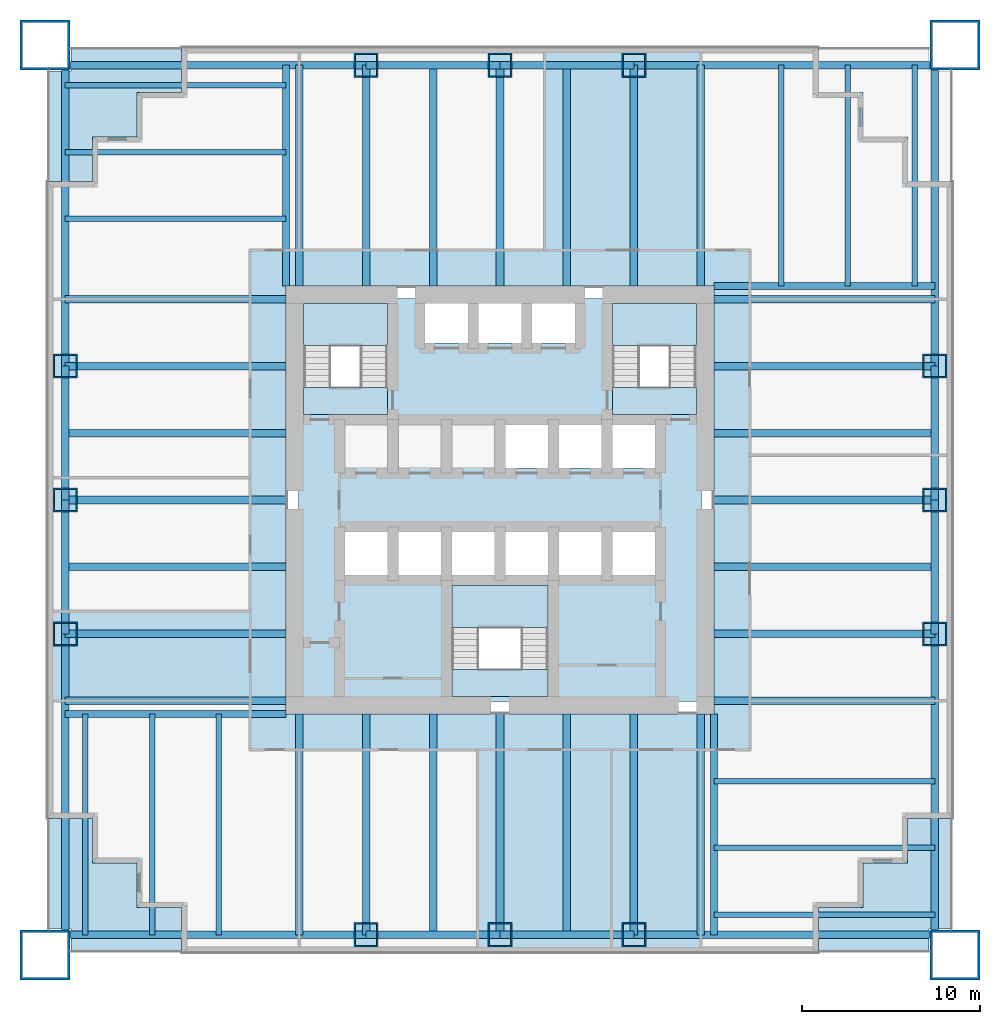
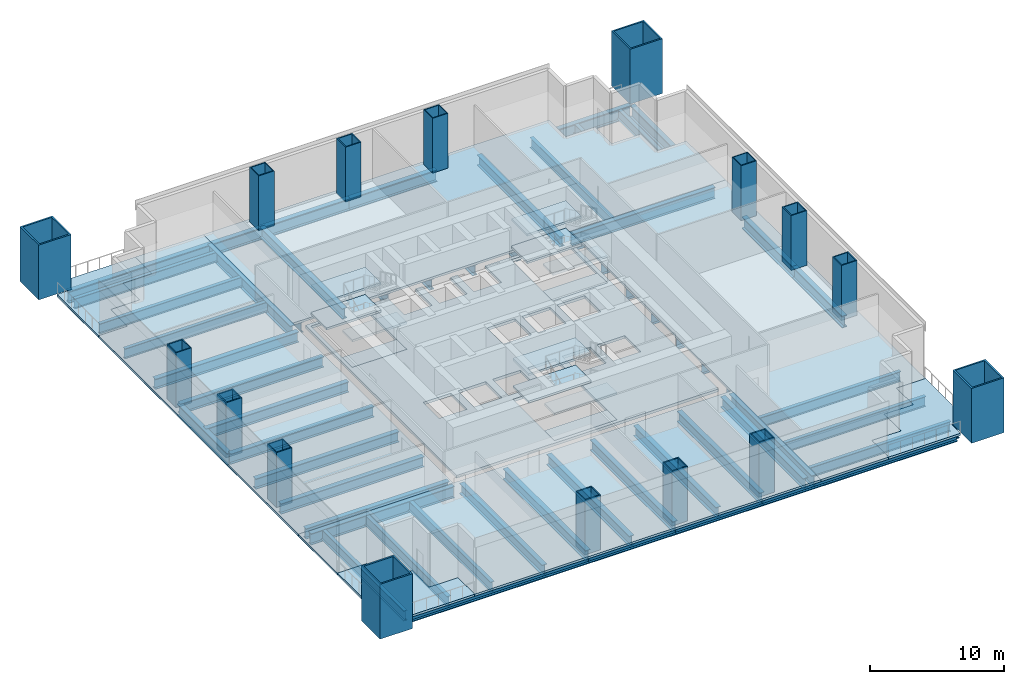
# One storey, part 1 of 6: 60 beams, 20 slabs, 16 columns, 3 elements without a shape of their own.
"""IFC4 building model written with IfcOpenShell, lengths in metres."""

import ifcopenshell
import ifcopenshell.guid

model = None  # the IFC model being written
_history = None  # IfcOwnerHistory: only IFC2X3 demands one
_inside = {}  # id of a spatial element -> (the spatial element, [elements in it])
_under = {}  # id of a project, library or spatial element -> (it, [spatial elements below it])
_declared = {}  # id of a project -> (the project, [libraries it declares])
_typed = {}  # id of a type object -> (the type object, [elements of that type])
_made_of = {}  # id of a material, layer set ... -> (it, [elements and type objects made of it])


def new_model(schema):
    """Start an empty IFC model of exactly this schema.

    Asked for "IFC4X3", IfcOpenShell would pick the latest addendum, in which some entities
    have other attributes; the version numbers below select the first issue.
    IFC2X3 requires an IfcOwnerHistory on every rooted entity: one is made here for all.
    """
    global model, _history
    if schema == "IFC4X3":
        model = ifcopenshell.file(schema_version=(4, 3, 0, 0))
    else:
        model = ifcopenshell.file(schema=schema)
    _inside.clear()
    _under.clear()
    _declared.clear()
    _typed.clear()
    _made_of.clear()
    _history = None
    if model.schema == "IFC2X3":
        org = make("IfcOrganization", Name="unknown")
        user = make(
            "IfcPersonAndOrganization",
            ThePerson=make("IfcPerson", FamilyName="unknown"),
            TheOrganization=org,
        )
        app = make(
            "IfcApplication",
            ApplicationDeveloper=org,
            Version="unknown",
            ApplicationFullName="unknown",
            ApplicationIdentifier="unknown",
        )
        _history = make(
            "IfcOwnerHistory",
            OwningUser=user,
            OwningApplication=app,
            ChangeAction="ADDED",
            CreationDate=0,
        )
    return model


def make(cls, **values):
    """One entity of the class cls with the attributes given. An attribute that is None is left unset."""
    return model.create_entity(
        cls, **{name: value for name, value in values.items() if value is not None}
    )


def rooted(cls, **values):
    """An entity with a GlobalId (a new one), such as an element, a storey or a relation."""
    return make(cls, GlobalId=ifcopenshell.guid.new(), OwnerHistory=_history, **values)


def si_unit(unit_type, name, prefix=None):
    """IfcSIUnit, for example si_unit("LENGTHUNIT", "METRE", prefix="MILLI")."""
    return make("IfcSIUnit", UnitType=unit_type, Prefix=prefix, Name=name)


def assignment(units):
    """IfcUnitAssignment: the units of a project."""
    return None if units is None else make("IfcUnitAssignment", Units=units)


def point(xyz):
    """IfcCartesianPoint."""
    return None if xyz is None else make("IfcCartesianPoint", Coordinates=xyz)


def direction(xyz):
    """IfcDirection."""
    return None if xyz is None else make("IfcDirection", DirectionRatios=xyz)


def frame(location, z_axis=None, x_axis=None):
    """IfcAxis2Placement3D, a coordinate frame: its origin and axes. An axis left out is left unset."""
    return make(
        "IfcAxis2Placement3D",
        Location=point(location),
        Axis=direction(z_axis),
        RefDirection=direction(x_axis),
    )


def frame_2d(location, x_axis=None):
    """IfcAxis2Placement2D, a coordinate frame in the plane: its origin and x axis."""
    return make(
        "IfcAxis2Placement2D", Location=point(location), RefDirection=direction(x_axis)
    )


def origin():
    """The frame at (0, 0, 0) with its axes left unset."""
    return frame((0.0, 0.0, 0.0))


def origin_2d():
    """The frame at (0, 0) in the plane with its x axis left unset."""
    return frame_2d((0.0, 0.0))


def place(relative_to, where):
    """IfcLocalPlacement: puts the frame where relative to a parent placement (None: the world)."""
    return make(
        "IfcLocalPlacement", PlacementRelTo=relative_to, RelativePlacement=where
    )


def context(
    kind, dimensions, precision=None, world=None, true_north=None, identifier=None
):
    """IfcGeometricRepresentationContext, for example the 3D "Model" context."""
    return make(
        "IfcGeometricRepresentationContext",
        ContextIdentifier=identifier,
        ContextType=kind,
        CoordinateSpaceDimension=dimensions,
        Precision=precision,
        WorldCoordinateSystem=world,
        TrueNorth=true_north,
    )


def subcontext(parent, identifier, kind, view, scale=None):
    """IfcGeometricRepresentationSubContext, for example "Body" below "Model"."""
    return make(
        "IfcGeometricRepresentationSubContext",
        ContextIdentifier=identifier,
        ContextType=kind,
        ParentContext=parent,
        TargetScale=scale,
        TargetView=view,
    )


def project(units=None, contexts=None):
    """IfcProject with its units and contexts."""
    return rooted(
        "IfcProject",
        Name="project",
        RepresentationContexts=contexts,
        UnitsInContext=assignment(units),
    )


def spatial(cls, under=None, at=None, **own):
    """A site, building, storey or space (cls), placed at a placement, below another one or the project."""
    s = rooted(cls, ObjectPlacement=at, **own)
    if under is not None:
        _under.setdefault(under.id(), (under, []))[1].append(s)
    return s


def polyline(points):
    """IfcPolyline through the points."""
    return make("IfcPolyline", Points=[point(p) for p in points])


def profile(cls, at=None, kind="AREA", **sizes):
    """A parametric profile (cls). Its sizes go by their IFC names, for example OverallWidth=200.0."""
    return make(cls, ProfileType=kind, Position=at, **sizes)


def hollow_rectangle(**sizes):
    """IfcRectangleHollowProfileDef."""
    return profile("IfcRectangleHollowProfileDef", **sizes)


def i_section(**sizes):
    """IfcIShapeProfileDef."""
    return profile("IfcIShapeProfileDef", **sizes)


def outline(outer, holes=None, kind="AREA"):
    """IfcArbitraryClosedProfileDef: a profile drawn as a closed curve; with holes, ...WithVoids."""
    if holes is None:
        return make("IfcArbitraryClosedProfileDef", ProfileType=kind, OuterCurve=outer)
    return make(
        "IfcArbitraryProfileDefWithVoids",
        ProfileType=kind,
        OuterCurve=outer,
        InnerCurves=holes,
    )


def extrude(swept, where, along, depth):
    """IfcExtrudedAreaSolid: the profile swept, set in the frame where, extruded along a direction by depth."""
    return make(
        "IfcExtrudedAreaSolid",
        SweptArea=swept,
        Position=where,
        ExtrudedDirection=direction(along),
        Depth=depth,
    )


def shape(context_of_items, identifier, shape_type, items):
    """IfcShapeRepresentation: the items that make up one representation, for example the "Body"."""
    return make(
        "IfcShapeRepresentation",
        ContextOfItems=context_of_items,
        RepresentationIdentifier=identifier,
        RepresentationType=shape_type,
        Items=items,
    )


def material(Name=None, Category=None):
    """IfcMaterial."""
    return make("IfcMaterial", Name=Name, Category=Category)


def layer(
    of_material, thickness, ventilated=None, Name=None, Category=None, Priority=None
):
    """IfcMaterialLayer: one layer of a wall or slab, of a material (None: an air gap)."""
    return make(
        "IfcMaterialLayer",
        Material=of_material,
        LayerThickness=thickness,
        IsVentilated=ventilated,
        Name=Name,
        Category=Category,
        Priority=Priority,
    )


def layer_set(layers, Name=None):
    """IfcMaterialLayerSet."""
    return make("IfcMaterialLayerSet", MaterialLayers=layers, LayerSetName=Name)


def material_profile(
    of_material, cross_section, Name=None, Category=None, Priority=None
):
    """IfcMaterialProfile: a cross section and its material."""
    return make(
        "IfcMaterialProfile",
        Name=Name,
        Material=of_material,
        Profile=cross_section,
        Priority=Priority,
        Category=Category,
    )


def profile_set(profiles, Name=None, composite=None):
    """IfcMaterialProfileSet."""
    return make(
        "IfcMaterialProfileSet",
        Name=Name,
        MaterialProfiles=profiles,
        CompositeProfile=composite,
    )


def made_of(thing, what):
    """Note that an element or type object is made of a material, layer set ...; save() writes the relation."""
    if what is not None:
        _made_of.setdefault(what.id(), (what, []))[1].append(thing)
    return thing


def type_object(cls, material=None, **own):
    """A type object (cls), such as IfcWallType, which elements share."""
    return made_of(rooted(cls, **own), material)


def element(
    cls,
    number,
    at=None,
    inside=None,
    cuts=None,
    type_object=None,
    material=None,
    context=None,
    identifier="Body",
    shape_type=None,
    held_by="IfcProductDefinitionShape",
    body=None,
    shapes=None,
    **own,
):
    """One element of the class cls, such as IfcWall. Its Tag is "e" and its number.

    at: its placement. inside: the storey or other place that contains it. cuts: it is an
    opening in that element (IfcRelVoidsElement). A single representation is given by context,
    identifier, shape_type and body (its items); several are given by shapes. held_by: the class
    of the entity that holds the representations. save() writes the other relations.
    """
    e = rooted(cls, Tag="e%d" % number, ObjectPlacement=at, **own)
    if body is not None:
        shapes = [shape(context, identifier, shape_type, body)]
    if shapes is not None:
        e.Representation = make(held_by, Representations=shapes)
    if inside is not None:
        _inside.setdefault(inside.id(), (inside, []))[1].append(e)
    if cuts is not None:
        rooted(
            "IfcRelVoidsElement", RelatingBuildingElement=cuts, RelatedOpeningElement=e
        )
    if type_object is not None:
        _typed.setdefault(type_object.id(), (type_object, []))[1].append(e)
    return made_of(e, material)


def aggregate(whole, parts):
    """IfcRelAggregates: a whole, such as a stair, and the parts it consists of."""
    return rooted("IfcRelAggregates", RelatingObject=whole, RelatedObjects=parts)


def save(model, path):
    """Write the relations noted so far, then the file.

    IfcRelAggregates (storeys below a building ...), IfcRelContainedInSpatialStructure (elements
    in a storey), IfcRelDefinesByType, IfcRelAssociatesMaterial and IfcRelDeclares: one each for
    every whole, place, type object, material and project.
    """
    for whole, parts in _under.values():
        aggregate(whole, parts)
    for where, things in _inside.values():
        rooted(
            "IfcRelContainedInSpatialStructure",
            RelatedElements=things,
            RelatingStructure=where,
        )
    for kind, things in _typed.values():
        rooted("IfcRelDefinesByType", RelatedObjects=things, RelatingType=kind)
    for what, things in _made_of.values():
        rooted("IfcRelAssociatesMaterial", RelatedObjects=things, RelatingMaterial=what)
    for by, libraries in _declared.values():
        rooted("IfcRelDeclares", RelatingContext=by, RelatedDefinitions=libraries)
    model.write(path)


model = new_model("IFC4")

# Units and contexts
model_context = context("Model", 3, precision=1e-05, world=origin(), true_north=direction((0.0, 1.0)))
body_context = subcontext(model_context, "Body", "Model", "MODEL_VIEW")
ifc_project = project(units=[si_unit("LENGTHUNIT", "METRE"), si_unit("AREAUNIT", "SQUARE_METRE"), si_unit("VOLUMEUNIT", "CUBIC_METRE"), si_unit("PLANEANGLEUNIT", "RADIAN"), si_unit("MASSUNIT", "GRAM", prefix="KILO")], contexts=[model_context])

# Site, building, storey
site_placement = place(None, origin())
site = spatial("IfcSite", under=ifc_project, at=site_placement, CompositionType="ELEMENT")
building_placement = place(site_placement, origin())
building = spatial("IfcBuilding", under=site, at=building_placement, Name="Tarangal Relay Tower", CompositionType="ELEMENT")
storey_placement = place(building_placement, frame((0.0, 0.0, 28.39990234375)))
storey = spatial("IfcBuildingStorey", under=building, at=storey_placement, Name="L05", CompositionType="ELEMENT", Elevation=28.39990234375)

# Columns
ifc_material_1 = material(Name="Steel ASTM A572 Grade 42", Category="steel")
ifc_material_profile_1 = material_profile(ifc_material_1, hollow_rectangle(XDim=2.800048828125, YDim=2.800048828125, WallThickness=0.139892578125, at=origin_2d()), Name="BOX2800X2800X140")
ifc_profile_set_1 = profile_set([ifc_material_profile_1], Name="Steel ASTM A572 Grade 42")
column_type_1 = type_object("IfcColumnType", Name="Mega column BOX2800X2800X140", PredefinedType="COLUMN", material=ifc_profile_set_1)
for number, where, z_axis, x_axis, name in (
    (1, (25.5, 25.5, 0.0), (0.0, 0.0, 1.0), (1.0, 0.0, 0.0), "Mega column MC1 NE L05"),
    (2, (25.5, -25.5, 0.0), (0.0, 0.0, 1.0), (1.0, 0.0, 0.0), "Mega column MC1 SE L05"),
    (3, (-25.5, -25.5, 0.0), (0.0, 0.0, 1.0), (1.0, 0.0, 0.0), "Mega column MC1 SW L05"),
    (4, (-25.5, 25.5, 0.0), (0.0, 0.0, 1.0), (1.0, 0.0, 0.0), "Mega column MC1 NW L05"),
):
    element("IfcColumn", number, at=place(storey_placement, frame(where, z_axis=z_axis, x_axis=x_axis)), inside=storey, type_object=column_type_1, Name=name, PredefinedType="COLUMN", context=body_context, shape_type="SweptSolid", body=[
        extrude(hollow_rectangle(XDim=2.800048828125, YDim=2.800048828125, WallThickness=0.139892578125, at=origin_2d()), origin(), (0.0, 0.0, 1.0), 5.0),
    ])
ifc_material_2 = material(Name="Steel ASTM A572 Grade 50", Category="steel")
ifc_material_profile_2 = material_profile(ifc_material_2, hollow_rectangle(XDim=1.35009765625, YDim=1.35009765625, WallThickness=0.0849609375, at=origin_2d()), Name="BOX1350X1350X85")
ifc_profile_set_2 = profile_set([ifc_material_profile_2], Name="Steel ASTM A572 Grade 50")
column_type_2 = type_object("IfcColumnType", Name="Perimeter column BOX1350X1350X85", PredefinedType="COLUMN", material=ifc_profile_set_2)
for number, where, z_axis, x_axis, name in (
    (5, (-7.5, 24.364990234375, 0.0), (0.0, 0.0, 1.0), (1.0, 0.0, 0.0), "Perimeter column PC2 N L05"),
    (6, (0.0, 24.364990234375, 0.0), (0.0, 0.0, 1.0), (1.0, 0.0, 0.0), "Perimeter column PC2 N L05"),
    (7, (7.5, 24.364990234375, 0.0), (0.0, 0.0, 1.0), (1.0, 0.0, 0.0), "Perimeter column PC2 N L05"),
    (8, (24.364990234375, 7.5, 0.0), (0.0, 0.0, 1.0), (1.0, 0.0, 0.0), "Perimeter column PC2 E L05"),
    (9, (24.364990234375, 0.0, 0.0), (0.0, 0.0, 1.0), (1.0, 0.0, 0.0), "Perimeter column PC2 E L05"),
    (10, (24.364990234375, -7.5, 0.0), (0.0, 0.0, 1.0), (1.0, 0.0, 0.0), "Perimeter column PC2 E L05"),
    (11, (7.5, -24.364990234375, 0.0), (0.0, 0.0, 1.0), (1.0, 0.0, 0.0), "Perimeter column PC2 S L05"),
    (12, (0.0, -24.364990234375, 0.0), (0.0, 0.0, 1.0), (1.0, 0.0, 0.0), "Perimeter column PC2 S L05"),
    (13, (-7.5, -24.364990234375, 0.0), (0.0, 0.0, 1.0), (1.0, 0.0, 0.0), "Perimeter column PC2 S L05"),
    (14, (-24.364990234375, -7.5, 0.0), (0.0, 0.0, 1.0), (1.0, 0.0, 0.0), "Perimeter column PC2 W L05"),
    (15, (-24.364990234375, 0.0, 0.0), (0.0, 0.0, 1.0), (1.0, 0.0, 0.0), "Perimeter column PC2 W L05"),
    (16, (-24.364990234375, 7.5, 0.0), (0.0, 0.0, 1.0), (1.0, 0.0, 0.0), "Perimeter column PC2 W L05"),
):
    element("IfcColumn", number, at=place(storey_placement, frame(where, z_axis=z_axis, x_axis=x_axis)), inside=storey, type_object=column_type_2, Name=name, PredefinedType="COLUMN", context=body_context, shape_type="SweptSolid", body=[
        extrude(hollow_rectangle(XDim=1.35009765625, YDim=1.35009765625, WallThickness=0.0849609375, at=origin_2d()), origin(), (0.0, 0.0, 1.0), 5.0),
    ])

# Beams
ifc_material_3 = material(Name="Steel ASTM A992", Category="steel")
ifc_material_profile_3 = material_profile(ifc_material_3, i_section(OverallWidth=0.307373046875, OverallDepth=0.927001953125, WebThickness=0.019287109375, FlangeThickness=0.031982421875, at=origin_2d()), Name="W36X194")
ifc_profile_set_3 = profile_set([ifc_material_profile_3], Name="Steel ASTM A992")
beam_type_1 = type_object("IfcBeamType", Name="Corner beam W36X194", PredefinedType="JOIST", material=ifc_profile_set_3)
for number, where, z_axis, x_axis, name in (
    (17, (15.75, 12.0, -0.66357421875), (0.0, 1.0, 0.0), (-1.0, 0.0, 0.0), "Corner beam CB10 N L05"),
    (18, (19.5, 12.0, -0.66357421875), (0.0, 1.0, 0.0), (-1.0, 0.0, 0.0), "Corner beam CB10 N L05"),
    (19, (23.25, 12.0, -0.66357421875), (0.0, 1.0, 0.0), (-1.0, 0.0, 0.0), "Corner beam CB10 N L05"),
    (20, (12.0, -15.75, -0.66357421875), (1.0, 0.0, 0.0), (0.0, 1.0, 0.0), "Corner beam CB10 E L05"),
    (21, (12.0, -19.5, -0.66357421875), (1.0, 0.0, 0.0), (0.0, 1.0, 0.0), "Corner beam CB10 E L05"),
    (22, (12.0, -23.25, -0.66357421875), (1.0, 0.0, 0.0), (0.0, 1.0, 0.0), "Corner beam CB10 E L05"),
    (23, (-15.75, -12.0, -0.66357421875), (0.0, -1.0, 0.0), (1.0, 0.0, 0.0), "Corner beam CB10 S L05"),
    (24, (-19.5, -12.0, -0.66357421875), (0.0, -1.0, 0.0), (1.0, 0.0, 0.0), "Corner beam CB10 S L05"),
    (25, (-23.25, -12.0, -0.66357421875), (0.0, -1.0, 0.0), (1.0, 0.0, 0.0), "Corner beam CB10 S L05"),
    (26, (-12.0, 15.75, -0.66357421875), (-1.0, 0.0, 0.0), (0.0, -1.0, 0.0), "Corner beam CB10 W L05"),
    (27, (-12.0, 19.5, -0.66357421875), (-1.0, 0.0, 0.0), (0.0, -1.0, 0.0), "Corner beam CB10 W L05"),
    (28, (-12.0, 23.25, -0.66357421875), (-1.0, 0.0, 0.0), (0.0, -1.0, 0.0), "Corner beam CB10 W L05"),
):
    element("IfcBeam", number, at=place(storey_placement, frame(where, z_axis=z_axis, x_axis=x_axis)), inside=storey, type_object=beam_type_1, Name=name, PredefinedType="JOIST", context=body_context, shape_type="SweptSolid", body=[
        extrude(i_section(OverallWidth=0.307373046875, OverallDepth=0.927001953125, WebThickness=0.019287109375, FlangeThickness=0.031982421875, at=origin_2d()), origin(), (0.0, 0.0, 1.0), 12.364990234375),
    ])
ifc_material_profile_4 = material_profile(ifc_material_3, i_section(OverallWidth=0.40380859375, OverallDepth=1.036376953125, WebThickness=0.031005859375, FlangeThickness=0.0458984375, at=origin_2d()), Name="W40X331")
ifc_profile_set_4 = profile_set([ifc_material_profile_4], Name="Steel ASTM A992")
beam_type_2 = type_object("IfcBeamType", Name="Corner girder W40X331", PredefinedType="BEAM", material=ifc_profile_set_4)
for number, where, z_axis, x_axis, name in (
    (29, (12.0, 12.0, -0.718017578125), (1.0, 0.0, 0.0), (0.0, 1.0, 0.0), "Corner girder CG2 N L05"),
    (30, (12.0, -12.0, -0.718017578125), (0.0, -1.0, 0.0), (1.0, 0.0, 0.0), "Corner girder CG2 E L05"),
    (31, (-12.0, -12.0, -0.718017578125), (-1.0, 0.0, 0.0), (0.0, -1.0, 0.0), "Corner girder CG2 S L05"),
    (32, (-12.0, 12.0, -0.718017578125), (0.0, 1.0, 0.0), (-1.0, 0.0, 0.0), "Corner girder CG2 W L05"),
):
    element("IfcBeam", number, at=place(storey_placement, frame(where, z_axis=z_axis, x_axis=x_axis)), inside=storey, type_object=beam_type_2, Name=name, PredefinedType="BEAM", context=body_context, shape_type="SweptSolid", body=[
        extrude(i_section(OverallWidth=0.40380859375, OverallDepth=1.036376953125, WebThickness=0.031005859375, FlangeThickness=0.0458984375, at=origin_2d()), origin(), (0.0, 0.0, 1.0), 12.364990234375),
    ])
ifc_material_profile_5 = material_profile(ifc_material_3, i_section(OverallWidth=0.42431640625, OverallDepth=1.09228515625, WebThickness=0.04541015625, FlangeThickness=0.08203125, at=origin_2d()), Name="W40X593")
ifc_profile_set_5 = profile_set([ifc_material_profile_5], Name="Steel ASTM A992")
beam_type_3 = type_object("IfcBeamType", Name="Edge girder W40X593", PredefinedType="SPANDREL", material=ifc_profile_set_5)
beam_1_placement = place(storey_placement, frame((-24.25, 24.364990234375, -0.74609375), z_axis=(1.0, 0.0, 0.0), x_axis=(0.0, 1.0, 0.0)))
element("IfcBeam", 33, at=beam_1_placement, inside=storey, type_object=beam_type_3, Name="Edge girder EG9 N L05", PredefinedType="SPANDREL", context=body_context, shape_type="SweptSolid", body=[
    extrude(i_section(OverallWidth=0.42431640625, OverallDepth=1.09228515625, WebThickness=0.04541015625, FlangeThickness=0.08203125, at=origin_2d()), origin(), (0.0, 0.0, 1.0), 16.75),
])
for number, where, z_axis, x_axis, name in (
    (34, (-7.5, 24.364990234375, -0.74609375), (1.0, 0.0, 0.0), (0.0, 1.0, 0.0), "Edge girder EG9 N L05"),
    (35, (0.0, 24.364990234375, -0.74609375), (1.0, 0.0, 0.0), (0.0, 1.0, 0.0), "Edge girder EG9 N L05"),
):
    element("IfcBeam", number, at=place(storey_placement, frame(where, z_axis=z_axis, x_axis=x_axis)), inside=storey, type_object=beam_type_3, Name=name, PredefinedType="SPANDREL", context=body_context, shape_type="SweptSolid", body=[
        extrude(i_section(OverallWidth=0.42431640625, OverallDepth=1.09228515625, WebThickness=0.04541015625, FlangeThickness=0.08203125, at=origin_2d()), origin(), (0.0, 0.0, 1.0), 7.5),
    ])
for number, where, z_axis, x_axis, name in (
    (36, (7.5, 24.364990234375, -0.74609375), (1.0, 0.0, 0.0), (0.0, 1.0, 0.0), "Edge girder EG9 N L05"),
    (37, (24.364990234375, 24.25, -0.74609375), (0.0, -1.0, 0.0), (1.0, 0.0, 0.0), "Edge girder EG9 E L05"),
):
    element("IfcBeam", number, at=place(storey_placement, frame(where, z_axis=z_axis, x_axis=x_axis)), inside=storey, type_object=beam_type_3, Name=name, PredefinedType="SPANDREL", context=body_context, shape_type="SweptSolid", body=[
        extrude(i_section(OverallWidth=0.42431640625, OverallDepth=1.09228515625, WebThickness=0.04541015625, FlangeThickness=0.08203125, at=origin_2d()), origin(), (0.0, 0.0, 1.0), 16.75),
    ])
for number, where, z_axis, x_axis, name in (
    (38, (24.364990234375, 7.5, -0.74609375), (0.0, -1.0, 0.0), (1.0, 0.0, 0.0), "Edge girder EG9 E L05"),
    (39, (24.364990234375, 0.0, -0.74609375), (0.0, -1.0, 0.0), (1.0, 0.0, 0.0), "Edge girder EG9 E L05"),
):
    element("IfcBeam", number, at=place(storey_placement, frame(where, z_axis=z_axis, x_axis=x_axis)), inside=storey, type_object=beam_type_3, Name=name, PredefinedType="SPANDREL", context=body_context, shape_type="SweptSolid", body=[
        extrude(i_section(OverallWidth=0.42431640625, OverallDepth=1.09228515625, WebThickness=0.04541015625, FlangeThickness=0.08203125, at=origin_2d()), origin(), (0.0, 0.0, 1.0), 7.5),
    ])
for number, where, z_axis, x_axis, name in (
    (40, (24.364990234375, -7.5, -0.74609375), (0.0, -1.0, 0.0), (1.0, 0.0, 0.0), "Edge girder EG9 E L05"),
    (41, (24.25, -24.364990234375, -0.74609375), (-1.0, 0.0, 0.0), (0.0, -1.0, 0.0), "Edge girder EG9 S L05"),
):
    element("IfcBeam", number, at=place(storey_placement, frame(where, z_axis=z_axis, x_axis=x_axis)), inside=storey, type_object=beam_type_3, Name=name, PredefinedType="SPANDREL", context=body_context, shape_type="SweptSolid", body=[
        extrude(i_section(OverallWidth=0.42431640625, OverallDepth=1.09228515625, WebThickness=0.04541015625, FlangeThickness=0.08203125, at=origin_2d()), origin(), (0.0, 0.0, 1.0), 16.75),
    ])
for number, where, z_axis, x_axis, name in (
    (42, (7.5, -24.364990234375, -0.74609375), (-1.0, 0.0, 0.0), (0.0, -1.0, 0.0), "Edge girder EG9 S L05"),
    (43, (0.0, -24.364990234375, -0.74609375), (-1.0, 0.0, 0.0), (0.0, -1.0, 0.0), "Edge girder EG9 S L05"),
):
    element("IfcBeam", number, at=place(storey_placement, frame(where, z_axis=z_axis, x_axis=x_axis)), inside=storey, type_object=beam_type_3, Name=name, PredefinedType="SPANDREL", context=body_context, shape_type="SweptSolid", body=[
        extrude(i_section(OverallWidth=0.42431640625, OverallDepth=1.09228515625, WebThickness=0.04541015625, FlangeThickness=0.08203125, at=origin_2d()), origin(), (0.0, 0.0, 1.0), 7.5),
    ])
for number, where, z_axis, x_axis, name in (
    (44, (-7.5, -24.364990234375, -0.74609375), (-1.0, 0.0, 0.0), (0.0, -1.0, 0.0), "Edge girder EG9 S L05"),
    (45, (-24.364990234375, -24.25, -0.74609375), (0.0, 1.0, 0.0), (-1.0, 0.0, 0.0), "Edge girder EG9 W L05"),
):
    element("IfcBeam", number, at=place(storey_placement, frame(where, z_axis=z_axis, x_axis=x_axis)), inside=storey, type_object=beam_type_3, Name=name, PredefinedType="SPANDREL", context=body_context, shape_type="SweptSolid", body=[
        extrude(i_section(OverallWidth=0.42431640625, OverallDepth=1.09228515625, WebThickness=0.04541015625, FlangeThickness=0.08203125, at=origin_2d()), origin(), (0.0, 0.0, 1.0), 16.75),
    ])
for number, where, z_axis, x_axis, name in (
    (46, (-24.364990234375, -7.5, -0.74609375), (0.0, 1.0, 0.0), (-1.0, 0.0, 0.0), "Edge girder EG9 W L05"),
    (47, (-24.364990234375, 0.0, -0.74609375), (0.0, 1.0, 0.0), (-1.0, 0.0, 0.0), "Edge girder EG9 W L05"),
):
    element("IfcBeam", number, at=place(storey_placement, frame(where, z_axis=z_axis, x_axis=x_axis)), inside=storey, type_object=beam_type_3, Name=name, PredefinedType="SPANDREL", context=body_context, shape_type="SweptSolid", body=[
        extrude(i_section(OverallWidth=0.42431640625, OverallDepth=1.09228515625, WebThickness=0.04541015625, FlangeThickness=0.08203125, at=origin_2d()), origin(), (0.0, 0.0, 1.0), 7.5),
    ])
beam_2_placement = place(storey_placement, frame((-24.364990234375, 7.5, -0.74609375), z_axis=(0.0, 1.0, 0.0), x_axis=(-1.0, 0.0, 0.0)))
element("IfcBeam", 48, at=beam_2_placement, inside=storey, type_object=beam_type_3, Name="Edge girder EG9 W L05", PredefinedType="SPANDREL", context=body_context, shape_type="SweptSolid", body=[
    extrude(i_section(OverallWidth=0.42431640625, OverallDepth=1.09228515625, WebThickness=0.04541015625, FlangeThickness=0.08203125, at=origin_2d()), origin(), (0.0, 0.0, 1.0), 16.75),
])
ifc_material_profile_6 = material_profile(ifc_material_3, i_section(OverallWidth=0.42431640625, OverallDepth=0.947509765625, WebThickness=0.02392578125, FlangeThickness=0.042724609375, at=origin_2d()), Name="W36X302")
ifc_profile_set_6 = profile_set([ifc_material_profile_6], Name="Steel ASTM A992")
beam_type_4 = type_object("IfcBeamType", Name="Floor beam W36X302", PredefinedType="BEAM", material=ifc_profile_set_6)
for number, where, z_axis, x_axis, name in (
    (49, (-11.25, 12.0, -0.673583984375), (0.0, 1.0, 0.0), (-1.0, 0.0, 0.0), "Floor beam RB10 N L05"),
    (50, (-7.5, 12.0, -0.673583984375), (0.0, 1.0, 0.0), (-1.0, 0.0, 0.0), "Floor beam RB10 N L05"),
    (51, (-3.75, 12.0, -0.673583984375), (0.0, 1.0, 0.0), (-1.0, 0.0, 0.0), "Floor beam RB10 N L05"),
    (52, (0.0, 12.0, -0.673583984375), (0.0, 1.0, 0.0), (-1.0, 0.0, 0.0), "Floor beam RB10 N L05"),
    (53, (3.75, 12.0, -0.673583984375), (0.0, 1.0, 0.0), (-1.0, 0.0, 0.0), "Floor beam RB10 N L05"),
    (54, (7.5, 12.0, -0.673583984375), (0.0, 1.0, 0.0), (-1.0, 0.0, 0.0), "Floor beam RB10 N L05"),
    (55, (11.25, 12.0, -0.673583984375), (0.0, 1.0, 0.0), (-1.0, 0.0, 0.0), "Floor beam RB10 N L05"),
    (56, (12.0, 11.25, -0.673583984375), (1.0, 0.0, 0.0), (0.0, 1.0, 0.0), "Floor beam RB10 E L05"),
    (57, (12.0, 7.5, -0.673583984375), (1.0, 0.0, 0.0), (0.0, 1.0, 0.0), "Floor beam RB10 E L05"),
    (58, (12.0, 3.75, -0.673583984375), (1.0, 0.0, 0.0), (0.0, 1.0, 0.0), "Floor beam RB10 E L05"),
    (59, (12.0, 0.0, -0.673583984375), (1.0, 0.0, 0.0), (0.0, 1.0, 0.0), "Floor beam RB10 E L05"),
    (60, (12.0, -3.75, -0.673583984375), (1.0, 0.0, 0.0), (0.0, 1.0, 0.0), "Floor beam RB10 E L05"),
    (61, (12.0, -7.5, -0.673583984375), (1.0, 0.0, 0.0), (0.0, 1.0, 0.0), "Floor beam RB10 E L05"),
    (62, (12.0, -11.25, -0.673583984375), (1.0, 0.0, 0.0), (0.0, 1.0, 0.0), "Floor beam RB10 E L05"),
    (63, (11.25, -12.0, -0.673583984375), (0.0, -1.0, 0.0), (1.0, 0.0, 0.0), "Floor beam RB10 S L05"),
    (64, (7.5, -12.0, -0.673583984375), (0.0, -1.0, 0.0), (1.0, 0.0, 0.0), "Floor beam RB10 S L05"),
    (65, (3.75, -12.0, -0.673583984375), (0.0, -1.0, 0.0), (1.0, 0.0, 0.0), "Floor beam RB10 S L05"),
    (66, (0.0, -12.0, -0.673583984375), (0.0, -1.0, 0.0), (1.0, 0.0, 0.0), "Floor beam RB10 S L05"),
    (67, (-3.75, -12.0, -0.673583984375), (0.0, -1.0, 0.0), (1.0, 0.0, 0.0), "Floor beam RB10 S L05"),
    (68, (-7.5, -12.0, -0.673583984375), (0.0, -1.0, 0.0), (1.0, 0.0, 0.0), "Floor beam RB10 S L05"),
    (69, (-11.25, -12.0, -0.673583984375), (0.0, -1.0, 0.0), (1.0, 0.0, 0.0), "Floor beam RB10 S L05"),
    (70, (-12.0, -11.25, -0.673583984375), (-1.0, 0.0, 0.0), (0.0, -1.0, 0.0), "Floor beam RB10 W L05"),
    (71, (-12.0, -7.5, -0.673583984375), (-1.0, 0.0, 0.0), (0.0, -1.0, 0.0), "Floor beam RB10 W L05"),
    (72, (-12.0, -3.75, -0.673583984375), (-1.0, 0.0, 0.0), (0.0, -1.0, 0.0), "Floor beam RB10 W L05"),
    (73, (-12.0, 0.0, -0.673583984375), (-1.0, 0.0, 0.0), (0.0, -1.0, 0.0), "Floor beam RB10 W L05"),
    (74, (-12.0, 3.75, -0.673583984375), (-1.0, 0.0, 0.0), (0.0, -1.0, 0.0), "Floor beam RB10 W L05"),
    (75, (-12.0, 7.5, -0.673583984375), (-1.0, 0.0, 0.0), (0.0, -1.0, 0.0), "Floor beam RB10 W L05"),
    (76, (-12.0, 11.25, -0.673583984375), (-1.0, 0.0, 0.0), (0.0, -1.0, 0.0), "Floor beam RB10 W L05"),
):
    element("IfcBeam", number, at=place(storey_placement, frame(where, z_axis=z_axis, x_axis=x_axis)), inside=storey, type_object=beam_type_4, Name=name, PredefinedType="BEAM", context=body_context, shape_type="SweptSolid", body=[
        extrude(i_section(OverallWidth=0.42431640625, OverallDepth=0.947509765625, WebThickness=0.02392578125, FlangeThickness=0.042724609375, at=origin_2d()), origin(), (0.0, 0.0, 1.0), 12.364990234375),
    ])

# Slabs
ifc_material_4 = material(Name="Concrete fc' 35 MPa", Category="concrete")
ifc_layer_1 = layer(ifc_material_4, 0.25)
ifc_layer_set_1 = layer_set([ifc_layer_1], Name="Core floor slab 250")
slab_type_1 = type_object("IfcSlabType", Name="Core floor slab 250", PredefinedType="FLOOR", material=ifc_layer_set_1)
slab_1_placement = place(storey_placement, frame((0.0, 0.0, -0.25)))
element("IfcSlab", 77, at=slab_1_placement, inside=storey, type_object=slab_type_1, Name="Core floor slab L05", PredefinedType="FLOOR", context=body_context, shape_type="SweptSolid", body=[
    extrude(outline(polyline([(11.300048828125, 11.300048828125), (11.300048828125, -11.300048828125), (-11.300048828125, -11.300048828125), (-11.300048828125, 11.300048828125), (-4.199951171875, 11.300048828125), (-4.199951171875, 8.800048828125), (-1.800048828125, 8.800048828125), (-1.800048828125, 11.300048828125), (-1.199951171875, 11.300048828125), (-1.199951171875, 8.800048828125), (1.199951171875, 8.800048828125), (1.199951171875, 11.300048828125), (1.800048828125, 11.300048828125), (1.800048828125, 8.800048828125), (4.199951171875, 8.800048828125), (4.199951171875, 11.300048828125), (11.300048828125, 11.300048828125)]), holes=[polyline([(2.699951171875, -4.800048828125), (-2.699951171875, -4.800048828125), (-2.699951171875, -11.0), (2.699951171875, -11.0), (2.699951171875, -4.800048828125)]), polyline([(-6.300048828125, -4.199951171875), (-6.300048828125, -1.800048828125), (-8.699951171875, -1.800048828125), (-8.699951171875, -4.199951171875), (-6.300048828125, -4.199951171875)]), polyline([(-3.300048828125, -4.199951171875), (-3.300048828125, -1.800048828125), (-5.699951171875, -1.800048828125), (-5.699951171875, -4.199951171875), (-3.300048828125, -4.199951171875)]), polyline([(-0.300048828125, -4.199951171875), (-0.300048828125, -1.800048828125), (-2.699951171875, -1.800048828125), (-2.699951171875, -4.199951171875), (-0.300048828125, -4.199951171875)]), polyline([(2.699951171875, 1.800048828125), (2.699951171875, 4.199951171875), (0.300048828125, 4.199951171875), (0.300048828125, 1.800048828125), (2.699951171875, 1.800048828125)]), polyline([(-6.300048828125, 4.800048828125), (-6.300048828125, 11.0), (-11.0, 11.0), (-11.0, 4.800048828125), (-6.300048828125, 4.800048828125)]), polyline([(2.699951171875, -4.199951171875), (2.699951171875, -1.800048828125), (0.300048828125, -1.800048828125), (0.300048828125, -4.199951171875), (2.699951171875, -4.199951171875)]), polyline([(5.699951171875, -4.199951171875), (5.699951171875, -1.800048828125), (3.300048828125, -1.800048828125), (3.300048828125, -4.199951171875), (5.699951171875, -4.199951171875)]), polyline([(8.699951171875, -4.199951171875), (8.699951171875, -1.800048828125), (6.300048828125, -1.800048828125), (6.300048828125, -4.199951171875), (8.699951171875, -4.199951171875)]), polyline([(5.699951171875, 1.800048828125), (5.699951171875, 4.199951171875), (3.300048828125, 4.199951171875), (3.300048828125, 1.800048828125), (5.699951171875, 1.800048828125)]), polyline([(8.699951171875, 1.800048828125), (8.699951171875, 4.199951171875), (6.300048828125, 4.199951171875), (6.300048828125, 1.800048828125), (8.699951171875, 1.800048828125)]), polyline([(11.0, 4.800048828125), (11.0, 11.0), (6.300048828125, 11.0), (6.300048828125, 4.800048828125), (11.0, 4.800048828125)])]), origin(), (0.0, 0.0, 1.0), 0.25),
])
ifc_layer_2 = layer(ifc_material_4, 0.199951171875)
ifc_layer_set_2 = layer_set([ifc_layer_2], Name="Floor slab 200")
slab_type_2 = type_object("IfcSlabType", Name="Floor slab 200", PredefinedType="FLOOR", material=ifc_layer_set_2)
slab_2_placement = place(storey_placement, frame((0.0, 0.0, -0.199951171875)))
element("IfcSlab", 78, at=slab_2_placement, inside=storey, type_object=slab_type_2, Name="Floor slab FS2 L05 north bay", PredefinedType="FLOOR", context=body_context, shape_type="SweptSolid", body=[
    extrude(outline(polyline([(17.85009765625, 25.35009765625), (17.85009765625, 22.85009765625), (20.35009765625, 22.85009765625), (20.35009765625, 20.35009765625), (22.85009765625, 20.35009765625), (22.85009765625, 17.85009765625), (25.35009765625, 17.85009765625), (25.35009765625, 12.0), (-12.0, 12.0), (-12.0, 25.35009765625), (17.85009765625, 25.35009765625)])), origin(), (0.0, 0.0, 1.0), 0.199951171875),
])
slab_3_placement = place(storey_placement, frame((0.0, 0.0, -0.199951171875)))
element("IfcSlab", 79, at=slab_3_placement, inside=storey, type_object=slab_type_2, Name="Floor slab FS2 L05 east bay", PredefinedType="FLOOR", context=body_context, shape_type="SweptSolid", body=[
    extrude(outline(polyline([(25.35009765625, -17.85009765625), (22.85009765625, -17.85009765625), (22.85009765625, -20.35009765625), (20.35009765625, -20.35009765625), (20.35009765625, -22.85009765625), (17.85009765625, -22.85009765625), (17.85009765625, -25.35009765625), (12.0, -25.35009765625), (12.0, 12.0), (25.35009765625, 12.0), (25.35009765625, -17.85009765625)])), origin(), (0.0, 0.0, 1.0), 0.199951171875),
])
slab_4_placement = place(storey_placement, frame((0.0, 0.0, -0.199951171875)))
element("IfcSlab", 80, at=slab_4_placement, inside=storey, type_object=slab_type_2, Name="Floor slab FS2 L05 south bay", PredefinedType="FLOOR", context=body_context, shape_type="SweptSolid", body=[
    extrude(outline(polyline([(-17.85009765625, -25.35009765625), (-17.85009765625, -22.85009765625), (-20.35009765625, -22.85009765625), (-20.35009765625, -20.35009765625), (-22.85009765625, -20.35009765625), (-22.85009765625, -17.85009765625), (-25.35009765625, -17.85009765625), (-25.35009765625, -12.0), (12.0, -12.0), (12.0, -25.35009765625), (-17.85009765625, -25.35009765625)])), origin(), (0.0, 0.0, 1.0), 0.199951171875),
])
slab_5_placement = place(storey_placement, frame((0.0, 0.0, -0.199951171875)))
element("IfcSlab", 81, at=slab_5_placement, inside=storey, type_object=slab_type_2, Name="Floor slab FS2 L05 west bay", PredefinedType="FLOOR", context=body_context, shape_type="SweptSolid", body=[
    extrude(outline(polyline([(-12.0, 25.35009765625), (-12.0, -12.0), (-25.35009765625, -12.0), (-25.35009765625, 17.85009765625), (-22.85009765625, 17.85009765625), (-22.85009765625, 20.35009765625), (-20.35009765625, 20.35009765625), (-20.35009765625, 22.85009765625), (-17.85009765625, 22.85009765625), (-17.85009765625, 25.35009765625), (-12.0, 25.35009765625)])), origin(), (0.0, 0.0, 1.0), 0.199951171875),
])

# Stair, slabs
ifc_material_5 = material(Name="Steel ASTM A992 stair flight", Category="steel")
stair_type = type_object("IfcStairType", Name="Core stair 1500", PredefinedType="HALF_TURN_STAIR", material=ifc_material_5)
stair_1_placement = place(storey_placement, origin())
stair_1 = element("IfcStair", 82, at=stair_1_placement, inside=storey, type_object=stair_type, Name="Stair ST-A L05", PredefinedType="HALF_TURN_STAIR")
ifc_layer_3 = layer(ifc_material_4, 0.199951171875)
ifc_layer_set_3 = layer_set([ifc_layer_3], Name="Stair landing 200")
slab_type_3 = type_object("IfcSlabType", Name="Stair landing 200", PredefinedType="LANDING", material=ifc_layer_set_3)
slab_6_placement = place(storey_placement, frame((0.0, 0.0, -0.199951171875)))
slab_6 = element("IfcSlab", 83, at=slab_6_placement, type_object=slab_type_3, Name="ST-A landing 1", PredefinedType="LANDING", context=body_context, shape_type="SweptSolid", body=[
    extrude(outline(polyline([(-11.0, 4.800048828125), (-6.300048828125, 4.800048828125), (-6.300048828125, 6.300048828125), (-11.0, 6.300048828125), (-11.0, 4.800048828125)])), origin(), (0.0, 0.0, 1.0), 0.199951171875),
])
slab_7_placement = place(storey_placement, frame((0.0, 0.0, 1.050048828125)))
slab_7 = element("IfcSlab", 84, at=slab_7_placement, type_object=slab_type_3, Name="ST-A landing 2", PredefinedType="LANDING", context=body_context, shape_type="SweptSolid", body=[
    extrude(outline(polyline([(-11.0, 8.64501953125), (-6.300048828125, 8.64501953125), (-6.300048828125, 11.0), (-11.0, 11.0), (-11.0, 8.64501953125)])), origin(), (0.0, 0.0, 1.0), 0.199951171875),
])
slab_8_placement = place(storey_placement, frame((0.0, 0.0, 2.300048828125)))
slab_8 = element("IfcSlab", 85, at=slab_8_placement, type_object=slab_type_3, Name="ST-A landing 3", PredefinedType="LANDING", context=body_context, shape_type="SweptSolid", body=[
    extrude(outline(polyline([(-11.0, 4.800048828125), (-6.300048828125, 4.800048828125), (-6.300048828125, 6.300048828125), (-11.0, 6.300048828125), (-11.0, 4.800048828125)])), origin(), (0.0, 0.0, 1.0), 0.199951171875),
])
slab_9_placement = place(storey_placement, frame((0.0, 0.0, 3.550048828125)))
slab_9 = element("IfcSlab", 86, at=slab_9_placement, type_object=slab_type_3, Name="ST-A landing 4", PredefinedType="LANDING", context=body_context, shape_type="SweptSolid", body=[
    extrude(outline(polyline([(-11.0, 8.64501953125), (-6.300048828125, 8.64501953125), (-6.300048828125, 11.0), (-11.0, 11.0), (-11.0, 8.64501953125)])), origin(), (0.0, 0.0, 1.0), 0.199951171875),
])
aggregate(stair_1, [slab_6, slab_7, slab_8, slab_9])

stair_2_placement = place(storey_placement, origin())
stair_2 = element("IfcStair", 87, at=stair_2_placement, inside=storey, type_object=stair_type, Name="Stair ST-B L05", PredefinedType="HALF_TURN_STAIR")
slab_10_placement = place(storey_placement, frame((0.0, 0.0, -0.199951171875)))
slab_10 = element("IfcSlab", 88, at=slab_10_placement, type_object=slab_type_3, Name="ST-B landing 1", PredefinedType="LANDING", context=body_context, shape_type="SweptSolid", body=[
    extrude(outline(polyline([(6.300048828125, 4.800048828125), (11.0, 4.800048828125), (11.0, 6.300048828125), (6.300048828125, 6.300048828125), (6.300048828125, 4.800048828125)])), origin(), (0.0, 0.0, 1.0), 0.199951171875),
])
slab_11_placement = place(storey_placement, frame((0.0, 0.0, 1.050048828125)))
slab_11 = element("IfcSlab", 89, at=slab_11_placement, type_object=slab_type_3, Name="ST-B landing 2", PredefinedType="LANDING", context=body_context, shape_type="SweptSolid", body=[
    extrude(outline(polyline([(6.300048828125, 8.64501953125), (11.0, 8.64501953125), (11.0, 11.0), (6.300048828125, 11.0), (6.300048828125, 8.64501953125)])), origin(), (0.0, 0.0, 1.0), 0.199951171875),
])
slab_12_placement = place(storey_placement, frame((0.0, 0.0, 2.300048828125)))
slab_12 = element("IfcSlab", 90, at=slab_12_placement, type_object=slab_type_3, Name="ST-B landing 3", PredefinedType="LANDING", context=body_context, shape_type="SweptSolid", body=[
    extrude(outline(polyline([(6.300048828125, 4.800048828125), (11.0, 4.800048828125), (11.0, 6.300048828125), (6.300048828125, 6.300048828125), (6.300048828125, 4.800048828125)])), origin(), (0.0, 0.0, 1.0), 0.199951171875),
])
slab_13_placement = place(storey_placement, frame((0.0, 0.0, 3.550048828125)))
slab_13 = element("IfcSlab", 91, at=slab_13_placement, type_object=slab_type_3, Name="ST-B landing 4", PredefinedType="LANDING", context=body_context, shape_type="SweptSolid", body=[
    extrude(outline(polyline([(6.300048828125, 8.64501953125), (11.0, 8.64501953125), (11.0, 11.0), (6.300048828125, 11.0), (6.300048828125, 8.64501953125)])), origin(), (0.0, 0.0, 1.0), 0.199951171875),
])
aggregate(stair_2, [slab_10, slab_11, slab_12, slab_13])

stair_3_placement = place(storey_placement, origin())
stair_3 = element("IfcStair", 92, at=stair_3_placement, inside=storey, type_object=stair_type, Name="Stair ST-C L05", PredefinedType="HALF_TURN_STAIR")
slab_14_placement = place(storey_placement, frame((0.0, 0.0, -0.199951171875)))
slab_14 = element("IfcSlab", 93, at=slab_14_placement, type_object=slab_type_3, Name="ST-C landing 1", PredefinedType="LANDING", context=body_context, shape_type="SweptSolid", body=[
    extrude(outline(polyline([(-2.699951171875, -11.0), (2.699951171875, -11.0), (2.699951171875, -9.5), (-2.699951171875, -9.5), (-2.699951171875, -11.0)])), origin(), (0.0, 0.0, 1.0), 0.199951171875),
])
slab_15_placement = place(storey_placement, frame((0.0, 0.0, 1.050048828125)))
slab_15 = element("IfcSlab", 94, at=slab_15_placement, type_object=slab_type_3, Name="ST-C landing 2", PredefinedType="LANDING", context=body_context, shape_type="SweptSolid", body=[
    extrude(outline(polyline([(-2.699951171875, -7.155029296875), (2.699951171875, -7.155029296875), (2.699951171875, -4.800048828125), (-2.699951171875, -4.800048828125), (-2.699951171875, -7.155029296875)])), origin(), (0.0, 0.0, 1.0), 0.199951171875),
])
slab_16_placement = place(storey_placement, frame((0.0, 0.0, 2.300048828125)))
slab_16 = element("IfcSlab", 95, at=slab_16_placement, type_object=slab_type_3, Name="ST-C landing 3", PredefinedType="LANDING", context=body_context, shape_type="SweptSolid", body=[
    extrude(outline(polyline([(-2.699951171875, -11.0), (2.699951171875, -11.0), (2.699951171875, -9.5), (-2.699951171875, -9.5), (-2.699951171875, -11.0)])), origin(), (0.0, 0.0, 1.0), 0.199951171875),
])
slab_17_placement = place(storey_placement, frame((0.0, 0.0, 3.550048828125)))
slab_17 = element("IfcSlab", 96, at=slab_17_placement, type_object=slab_type_3, Name="ST-C landing 4", PredefinedType="LANDING", context=body_context, shape_type="SweptSolid", body=[
    extrude(outline(polyline([(-2.699951171875, -7.155029296875), (2.699951171875, -7.155029296875), (2.699951171875, -4.800048828125), (-2.699951171875, -4.800048828125), (-2.699951171875, -7.155029296875)])), origin(), (0.0, 0.0, 1.0), 0.199951171875),
])
aggregate(stair_3, [slab_14, slab_15, slab_16, slab_17])

# Slabs
ifc_layer_4 = layer(ifc_material_4, 0.199951171875)
ifc_layer_set_4 = layer_set([ifc_layer_4], Name="Terrace slab 200")
slab_type_4 = type_object("IfcSlabType", Name="Terrace slab 200", PredefinedType="FLOOR", material=ifc_layer_set_4)
slab_18_placement = place(storey_placement, frame((0.0, 0.0, -0.199951171875)))
element("IfcSlab", 97, at=slab_18_placement, inside=storey, type_object=slab_type_4, Name="Corner terrace SE L05", PredefinedType="FLOOR", context=body_context, shape_type="SweptSolid", body=[
    extrude(outline(polyline([(25.35009765625, -17.85009765625), (22.85009765625, -17.85009765625), (22.85009765625, -20.35009765625), (20.35009765625, -20.35009765625), (20.35009765625, -22.85009765625), (17.85009765625, -22.85009765625), (17.85009765625, -25.35009765625), (24.050048828125, -25.35009765625), (24.050048828125, -24.050048828125), (25.35009765625, -24.050048828125), (25.35009765625, -17.85009765625)])), origin(), (0.0, 0.0, 1.0), 0.199951171875),
])
slab_19_placement = place(storey_placement, frame((0.0, 0.0, -0.199951171875)))
element("IfcSlab", 98, at=slab_19_placement, inside=storey, type_object=slab_type_4, Name="Corner terrace SW L05", PredefinedType="FLOOR", context=body_context, shape_type="SweptSolid", body=[
    extrude(outline(polyline([(-17.85009765625, -25.35009765625), (-17.85009765625, -22.85009765625), (-20.35009765625, -22.85009765625), (-20.35009765625, -20.35009765625), (-22.85009765625, -20.35009765625), (-22.85009765625, -17.85009765625), (-25.35009765625, -17.85009765625), (-25.35009765625, -24.050048828125), (-24.050048828125, -24.050048828125), (-24.050048828125, -25.35009765625), (-17.85009765625, -25.35009765625)])), origin(), (0.0, 0.0, 1.0), 0.199951171875),
])
slab_20_placement = place(storey_placement, frame((0.0, 0.0, -0.199951171875)))
element("IfcSlab", 99, at=slab_20_placement, inside=storey, type_object=slab_type_4, Name="Corner terrace NW L05", PredefinedType="FLOOR", context=body_context, shape_type="SweptSolid", body=[
    extrude(outline(polyline([(-25.35009765625, 17.85009765625), (-22.85009765625, 17.85009765625), (-22.85009765625, 20.35009765625), (-20.35009765625, 20.35009765625), (-20.35009765625, 22.85009765625), (-17.85009765625, 22.85009765625), (-17.85009765625, 25.35009765625), (-24.050048828125, 25.35009765625), (-24.050048828125, 24.050048828125), (-25.35009765625, 24.050048828125), (-25.35009765625, 17.85009765625)])), origin(), (0.0, 0.0, 1.0), 0.199951171875),
])

save(model, "model.ifc")
